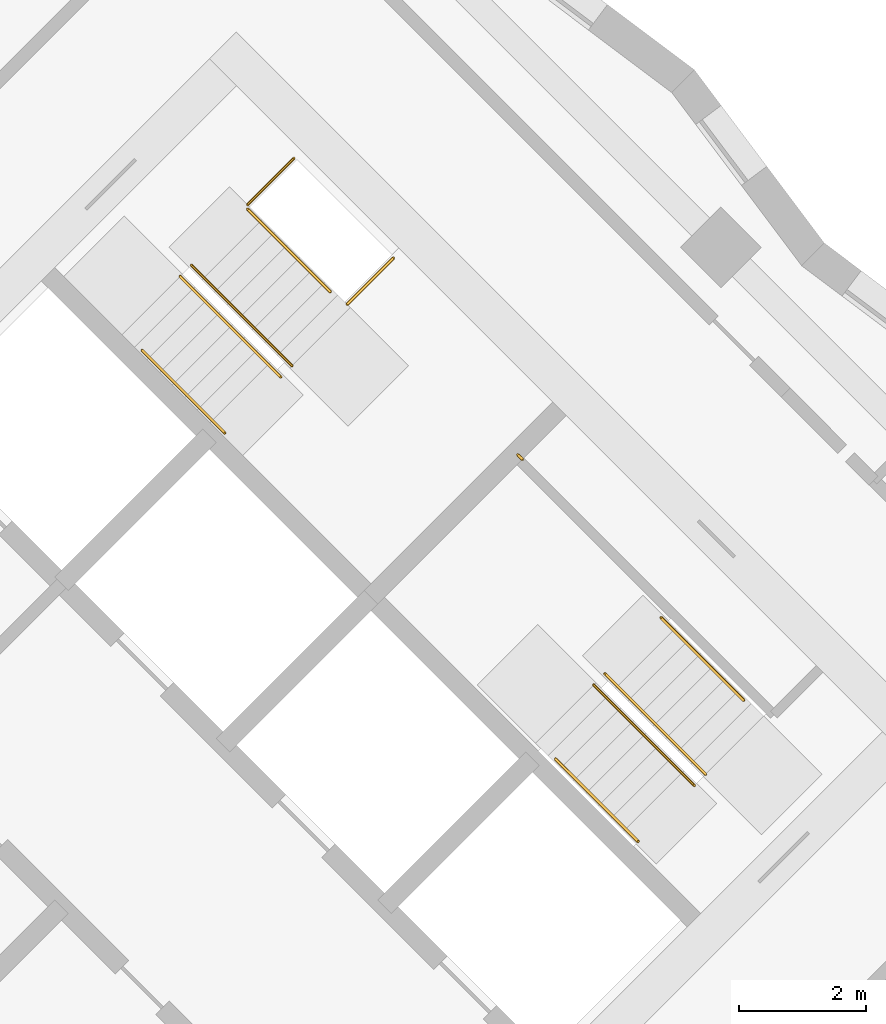
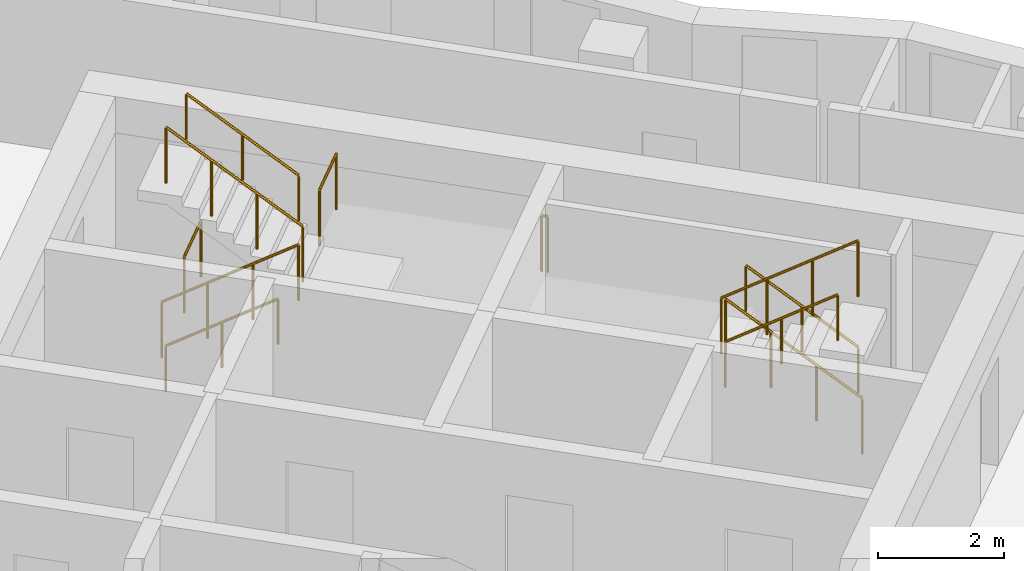
# One storey, part 12 of 12: 11 railings.
"""IFC4 building model written with IfcOpenShell, lengths in metres."""

from ifc_helpers import new_model, si_unit, direction, frame, origin, origin_2d, place, context, subcontext, project, spatial, circle, extrude, material, type_object, element, save


model = new_model("IFC4")

# Units and contexts
model_context = context("Model", 3, precision=1e-05, world=origin(), true_north=direction((0.0, 1.0)))
body_context = subcontext(model_context, "Body", "Model", "MODEL_VIEW")
ifc_project = project(units=[si_unit("LENGTHUNIT", "METRE"), si_unit("AREAUNIT", "SQUARE_METRE"), si_unit("VOLUMEUNIT", "CUBIC_METRE"), si_unit("PLANEANGLEUNIT", "RADIAN"), si_unit("MASSUNIT", "GRAM", prefix="KILO")], contexts=[model_context])

# Site, building, storey
site_placement = place(None, origin())
site = spatial("IfcSite", under=ifc_project, at=site_placement, CompositionType="ELEMENT")
building_placement = place(site_placement, origin())
building = spatial("IfcBuilding", under=site, at=building_placement, Name="Windrow Commons", CompositionType="ELEMENT")
storey_placement = place(building_placement, frame((0.0, 0.0, 155.8)))
storey = spatial("IfcBuildingStorey", under=building, at=storey_placement, Name="L42", CompositionType="ELEMENT", Elevation=155.8)

# Railings
ifc_material_1 = material(Name="Steel S355", Category="steel")
railing_type_1 = type_object("IfcRailingType", Name="Core stair guard 1100", PredefinedType="GUARDRAIL", material=ifc_material_1)
railing_1_placement = place(storey_placement, frame((85.9529, 56.2669, 0.1889)))
element("IfcRailing", 1, at=railing_1_placement, inside=storey, type_object=railing_type_1, Name="L42 ST-B1 stair guard 1", PredefinedType="GUARDRAIL", context=body_context, shape_type="SweptSolid", body=[
    extrude(circle(Radius=0.024, at=origin_2d()), frame((0.0, 0.0, 1.076), z_axis=(0.5861914914, -0.5861914914, 0.5592486664), x_axis=(0.7071067812, 0.7071067812, 0.0)), (0.0, 0.0, 1.0), 2.702),
    extrude(circle(Radius=0.021, at=origin_2d()), origin(), (0.0, 0.0, 1.0), 1.052),
    extrude(circle(Radius=0.021, at=origin_2d()), frame((0.528, -0.528, 0.5037)), (0.0, 0.0, 1.0), 1.052),
    extrude(circle(Radius=0.021, at=origin_2d()), frame((1.0559, -1.0559, 1.0074)), (0.0, 0.0, 1.0), 1.052),
    extrude(circle(Radius=0.021, at=origin_2d()), frame((1.5839, -1.5839, 1.5111)), (0.0, 0.0, 1.0), 1.052),
])
railing_2_placement = place(storey_placement, frame((87.7136, 54.8597, 1.8889)))
element("IfcRailing", 2, at=railing_2_placement, inside=storey, type_object=railing_type_1, Name="L42 ST-B1 stair guard 2", PredefinedType="GUARDRAIL", context=body_context, shape_type="SweptSolid", body=[
    extrude(circle(Radius=0.024, at=origin_2d()), frame((0.0, 0.0, 1.076), z_axis=(-0.5862030657, 0.5862030657, 0.5592244018), x_axis=(-0.7071067812, -0.7071067812, 0.0)), (0.0, 0.0, 1.0), 2.7021),
    extrude(circle(Radius=0.021, at=origin_2d()), origin(), (0.0, 0.0, 1.0), 1.052),
    extrude(circle(Radius=0.021, at=origin_2d()), frame((-0.528, 0.528, 0.5037)), (0.0, 0.0, 1.0), 1.052),
    extrude(circle(Radius=0.021, at=origin_2d()), frame((-1.056, 1.056, 1.0074)), (0.0, 0.0, 1.0), 1.052),
    extrude(circle(Radius=0.021, at=origin_2d()), frame((-1.584, 1.584, 1.5111)), (0.0, 0.0, 1.0), 1.052),
])
railing_3_placement = place(storey_placement, frame((87.0135, 57.3982, 0.0)))
element("IfcRailing", 3, at=railing_3_placement, inside=storey, type_object=railing_type_1, Name="L42 ST-B1 stair guard 3", PredefinedType="GUARDRAIL", context=body_context, shape_type="SweptSolid", body=[
    extrude(circle(Radius=0.024, at=origin_2d()), frame((0.0, 0.0, 1.076), z_axis=(0.7070582378, 0.7071553212, 0.0), x_axis=(-0.7071553212, 0.7070582378, 0.0)), (0.0, 0.0, 1.0), 1.03),
    extrude(circle(Radius=0.021, at=origin_2d()), origin(), (0.0, 0.0, 1.0), 1.052),
    extrude(circle(Radius=0.021, at=origin_2d()), frame((0.7283, 0.7284, 0.0)), (0.0, 0.0, 1.0), 1.052),
])
railing_4_placement = place(storey_placement, frame((88.5833, 55.8285, 1.7)))
element("IfcRailing", 4, at=railing_4_placement, inside=storey, type_object=railing_type_1, Name="L42 ST-B1 stair guard 4", PredefinedType="GUARDRAIL", context=body_context, shape_type="SweptSolid", body=[
    extrude(circle(Radius=0.024, at=origin_2d()), frame((0.0, 0.0, 1.076), z_axis=(0.7071067812, 0.7071067812, 0.0), x_axis=(-0.7071067812, 0.7071067812, 0.0)), (0.0, 0.0, 1.0), 1.03),
    extrude(circle(Radius=0.021, at=origin_2d()), origin(), (0.0, 0.0, 1.0), 1.052),
    extrude(circle(Radius=0.021, at=origin_2d()), frame((0.7283, 0.7283, 0.0)), (0.0, 0.0, 1.0), 1.052),
])
railing_5_placement = place(storey_placement, frame((94.2296, 48.4215, 0.1889)))
element("IfcRailing", 5, at=railing_5_placement, inside=storey, type_object=railing_type_1, Name="L42 ST-B2 stair guard 1", PredefinedType="GUARDRAIL", context=body_context, shape_type="SweptSolid", body=[
    extrude(circle(Radius=0.024, at=origin_2d()), frame((0.0, 0.0, 1.076), z_axis=(-0.5862157828, 0.5861787742, 0.5592365337), x_axis=(-0.7070844598, -0.7071291018, 0.0)), (0.0, 0.0, 1.0), 2.7021),
    extrude(circle(Radius=0.021, at=origin_2d()), origin(), (0.0, 0.0, 1.0), 1.052),
    extrude(circle(Radius=0.021, at=origin_2d()), frame((-0.528, 0.528, 0.5037)), (0.0, 0.0, 1.0), 1.052),
    extrude(circle(Radius=0.021, at=origin_2d()), frame((-1.056, 1.0559, 1.0074)), (0.0, 0.0, 1.0), 1.052),
    extrude(circle(Radius=0.021, at=origin_2d()), frame((-1.584, 1.5839, 1.5111)), (0.0, 0.0, 1.0), 1.052),
])
railing_6_placement = place(storey_placement, frame((92.4689, 49.8287, 1.8889)))
element("IfcRailing", 6, at=railing_6_placement, inside=storey, type_object=railing_type_1, Name="L42 ST-B2 stair guard 2", PredefinedType="GUARDRAIL", context=body_context, shape_type="SweptSolid", body=[
    extrude(circle(Radius=0.024, at=origin_2d()), frame((0.0, 0.0, 1.076), z_axis=(0.5861787742, -0.5862157828, 0.5592365337), x_axis=(0.7071291018, 0.7070844598, 0.0)), (0.0, 0.0, 1.0), 2.7021),
    extrude(circle(Radius=0.021, at=origin_2d()), origin(), (0.0, 0.0, 1.0), 1.052),
    extrude(circle(Radius=0.021, at=origin_2d()), frame((0.528, -0.528, 0.5037)), (0.0, 0.0, 1.0), 1.052),
    extrude(circle(Radius=0.021, at=origin_2d()), frame((1.0559, -1.056, 1.0074)), (0.0, 0.0, 1.0), 1.052),
    extrude(circle(Radius=0.021, at=origin_2d()), frame((1.5839, -1.584, 1.5111)), (0.0, 0.0, 1.0), 1.052),
])
railing_7_placement = place(storey_placement, frame((91.3446, 53.3854, 1.7)))
element("IfcRailing", 7, at=railing_7_placement, inside=storey, type_object=railing_type_1, Name="L42 ST-B2 stair guard 3", PredefinedType="GUARDRAIL", context=body_context, shape_type="SweptSolid", body=[
    extrude(circle(Radius=0.024, at=origin_2d()), frame((0.0, 0.0, 1.076), z_axis=(-0.7076063266, 0.7066068826, 0.0), x_axis=(-0.7066068826, -0.7076063266, 0.0)), (0.0, 0.0, 1.0), 0.1001),
    extrude(circle(Radius=0.021, at=origin_2d()), origin(), (0.0, 0.0, 1.0), 1.052),
    extrude(circle(Radius=0.021, at=origin_2d()), frame((-0.0708, 0.0707, 0.0)), (0.0, 0.0, 1.0), 1.052),
])
ifc_material_2 = material(Name="Steel S355", Category="steel")
railing_type_2 = type_object("IfcRailingType", Name="Core stair handrail 900", PredefinedType="HANDRAIL", material=ifc_material_2)
railing_8_placement = place(storey_placement, frame((85.3518, 55.1001, 0.4587)))
element("IfcRailing", 8, at=railing_8_placement, inside=storey, type_object=railing_type_2, Name="L42 ST-B1 stair handrail 1", PredefinedType="HANDRAIL", context=body_context, shape_type="SweptSolid", body=[
    extrude(circle(Radius=0.024, at=origin_2d()), frame((0.0, 0.0, 0.876), z_axis=(0.586206706, -0.5861616513, 0.5592639952), x_axis=(0.7070796062, 0.7071339551, 0.0)), (0.0, 0.0, 1.0), 2.2195),
    extrude(circle(Radius=0.021, at=origin_2d()), origin(), (0.0, 0.0, 1.0), 0.852),
    extrude(circle(Radius=0.021, at=origin_2d()), frame((0.6506, -0.6505, 0.6206)), (0.0, 0.0, 1.0), 0.852),
    extrude(circle(Radius=0.021, at=origin_2d()), frame((1.3011, -1.301, 1.2413)), (0.0, 0.0, 1.0), 0.852),
])
for number, where, name in (
    (9, (88.3146, 56.0265, 2.1587), "L42 ST-B1 stair handrail 2"),
    (10, (94.8306, 49.5883, 0.4587), "L42 ST-B2 stair handrail 1"),
):
    element("IfcRailing", number, at=place(storey_placement, frame(where)), inside=storey, type_object=railing_type_2, Name=name, PredefinedType="HANDRAIL", context=body_context, shape_type="SweptSolid", body=[
        extrude(circle(Radius=0.024, at=origin_2d()), frame((0.0, 0.0, 0.876), z_axis=(-0.586206706, 0.5861616513, 0.5592639952), x_axis=(-0.7070796062, -0.7071339551, 0.0)), (0.0, 0.0, 1.0), 2.2195),
        extrude(circle(Radius=0.021, at=origin_2d()), origin(), (0.0, 0.0, 1.0), 0.852),
        extrude(circle(Radius=0.021, at=origin_2d()), frame((-0.6506, 0.6505, 0.6206)), (0.0, 0.0, 1.0), 0.852),
        extrude(circle(Radius=0.021, at=origin_2d()), frame((-1.3011, 1.301, 1.2413)), (0.0, 0.0, 1.0), 0.852),
    ])
railing_9_placement = place(storey_placement, frame((91.8678, 48.6619, 2.1587)))
element("IfcRailing", 11, at=railing_9_placement, inside=storey, type_object=railing_type_2, Name="L42 ST-B2 stair handrail 2", PredefinedType="HANDRAIL", context=body_context, shape_type="SweptSolid", body=[
    extrude(circle(Radius=0.024, at=origin_2d()), frame((0.0, 0.0, 0.876), z_axis=(0.586206706, -0.5861616513, 0.5592639952), x_axis=(0.7070796062, 0.7071339551, 0.0)), (0.0, 0.0, 1.0), 2.2195),
    extrude(circle(Radius=0.021, at=origin_2d()), origin(), (0.0, 0.0, 1.0), 0.852),
    extrude(circle(Radius=0.021, at=origin_2d()), frame((0.6505, -0.6505, 0.6206)), (0.0, 0.0, 1.0), 0.852),
    extrude(circle(Radius=0.021, at=origin_2d()), frame((1.3011, -1.301, 1.2413)), (0.0, 0.0, 1.0), 0.852),
])

save(model, "model.ifc")
